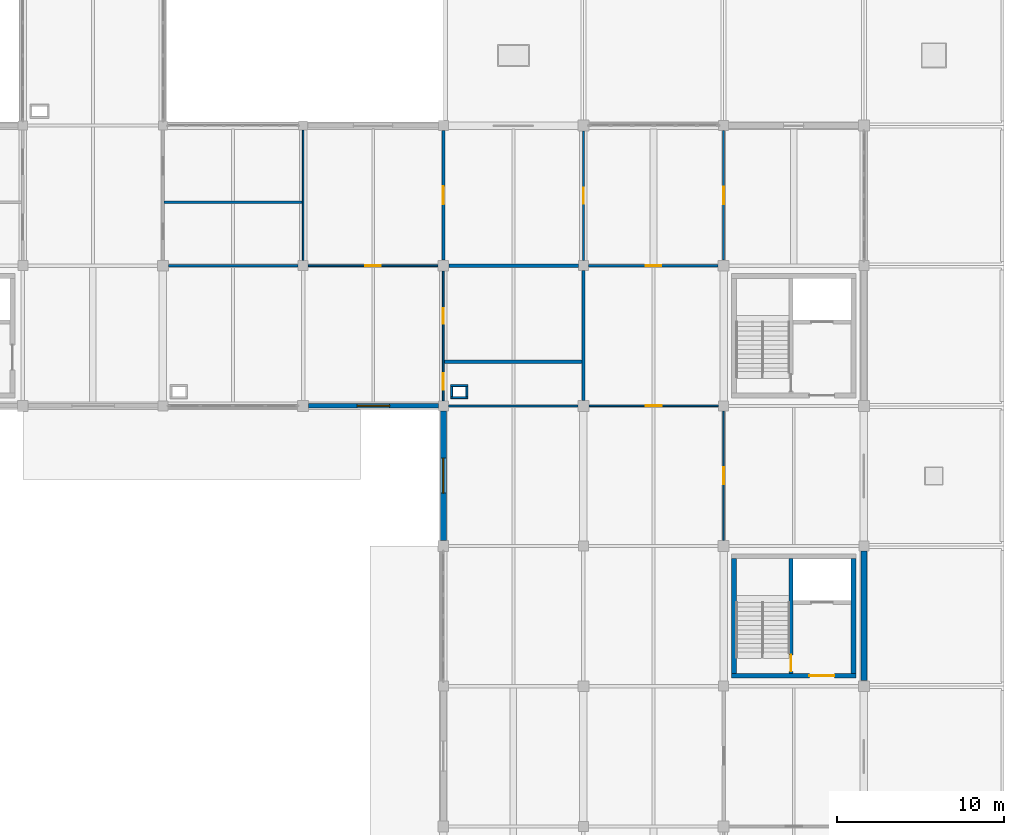
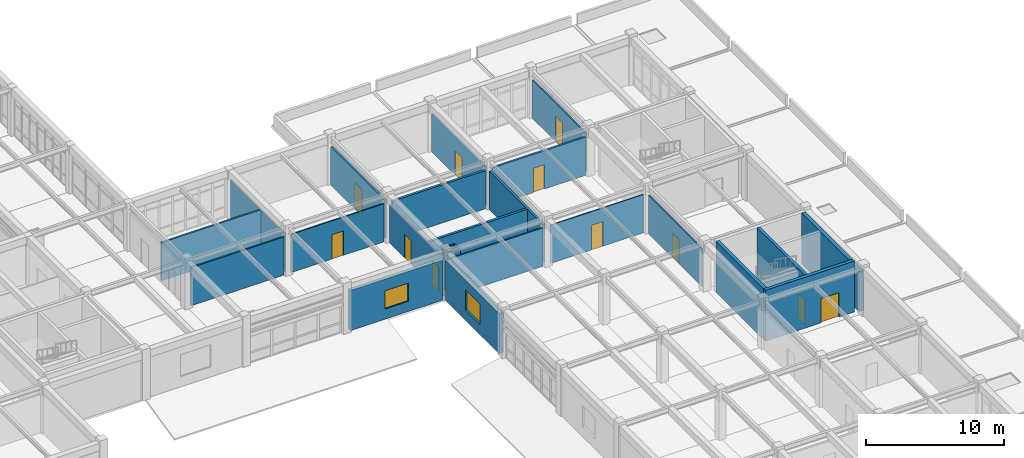
# One storey, part 71 of 78: 26 walls, 11 doors, 2 windows, 13 openings.
"""IFC4 building model written with IfcOpenShell, lengths in metres."""

from ifc_helpers import new_model, si_unit, direction, frame, frame_2d, origin, place, context, subcontext, project, spatial, rectangle, extrude, material, layer, layer_set, type_object, element, fill, save


model = new_model("IFC4")

# Units and contexts
model_context = context("Model", 3, precision=1e-05, world=origin(), true_north=direction((0.0, 1.0)))
body_context = subcontext(model_context, "Body", "Model", "MODEL_VIEW")
ifc_project = project(units=[si_unit("LENGTHUNIT", "METRE"), si_unit("AREAUNIT", "SQUARE_METRE"), si_unit("VOLUMEUNIT", "CUBIC_METRE"), si_unit("PLANEANGLEUNIT", "RADIAN"), si_unit("MASSUNIT", "GRAM", prefix="KILO")], contexts=[model_context])

# Site, building, storey
site_placement = place(None, origin())
site = spatial("IfcSite", under=ifc_project, at=site_placement, CompositionType="ELEMENT")
building_placement = place(site_placement, origin())
building = spatial("IfcBuilding", under=site, at=building_placement, Name="Porcellanite Civic Hall", CompositionType="ELEMENT")
storey_placement = place(building_placement, frame((0.0, 0.0, 10.260009765625)))
storey = spatial("IfcBuildingStorey", under=building, at=storey_placement, Name="L02", CompositionType="ELEMENT", Elevation=10.260009765625)

# Wall, opening, door
ifc_material_1 = material(Name="Concrete N40 (40 MPa)", Category="concrete")
ifc_layer_1 = layer(ifc_material_1, 0.239990234375)
ifc_layer_set_1 = layer_set([ifc_layer_1], Name="Concrete N40 (40 MPa)")
wall_type_1 = type_object("IfcWallType", Name="CW-SH240", PredefinedType="SHEAR", material=ifc_layer_set_1)
wall_1_placement = place(storey_placement, frame((163.639892578125, 34.360107421875, 0.0), z_axis=(0.0, 0.0, 1.0), x_axis=(0.0, 1.0, 0.0)))
wall_1 = element("IfcWall", 1, at=wall_1_placement, inside=storey, type_object=wall_type_1, Name="Core divider C7 L02", PredefinedType="SHEAR", context=body_context, shape_type="SweptSolid", body=[
    extrude(rectangle(XDim=6.8798828125, YDim=0.239990234375, at=frame_2d((3.43994140625, 0.0))), origin(), (0.0, 0.0, 1.0), 4.5),
])
opening_1_placement = place(wall_1_placement, frame((0.1201171875, 0.0, 0.0)))
opening_1 = element("IfcOpeningElement", 2, at=opening_1_placement, cuts=wall_1, Name="Opening FD-C7-L02-ST", PredefinedType="OPENING", context=body_context, shape_type="SweptSolid", body=[
    extrude(rectangle(XDim=1.0, YDim=2.14990234375, at=frame_2d((0.5, 1.074951171875))), frame((0.0, 0.1201171875, 0.0), z_axis=(0.0, -1.0, 0.0), x_axis=(1.0, 0.0, 0.0)), (0.0, 0.0, 1.0), 0.239990234375),
])
ifc_material_2 = material(Name="Fire-rated solid-core hardwood timber", Category="wood")
door_type_1 = type_object("IfcDoorType", Name="DR-FD100", OperationType="NOTDEFINED", PredefinedType="DOOR", material=ifc_material_2)
door_1_placement = place(opening_1_placement, origin())
door_1 = element("IfcDoor", 3, at=door_1_placement, inside=storey, type_object=door_type_1, Name="Fire stair door FD-C7-L02-ST", OperationType="SINGLE_SWING_RIGHT", OverallHeight=2.14990234375, OverallWidth=1.0, PredefinedType="DOOR", context=body_context, shape_type="SweptSolid", body=[
    extrude(rectangle(XDim=1.0, YDim=2.14990234375, at=frame_2d((0.5, 1.074951171875))), frame((0.0, 0.02490234375, 0.0), z_axis=(0.0, -1.0, 0.0), x_axis=(1.0, 0.0, 0.0)), (0.0, 0.0, 1.0), 0.050048828125),
])
fill(opening_1, door_1)

ifc_material_3 = material(Name="Concrete N40 (40 MPa)", Category="concrete")
ifc_layer_2 = layer(ifc_material_3, 0.280029296875)
ifc_layer_set_2 = layer_set([ifc_layer_2], Name="Concrete N40 (40 MPa)")
wall_type_2 = type_object("IfcWallType", Name="CW-SH280", PredefinedType="SHEAR", material=ifc_layer_set_2)
wall_2_placement = place(storey_placement, frame((167.52001953125, 34.219970703125, 0.0), z_axis=(0.0, 0.0, 1.0), x_axis=(-1.0, 0.0, 0.0)))
wall_2 = element("IfcWall", 4, at=wall_2_placement, inside=storey, type_object=wall_type_2, Name="Core wall C7 L02 S", PredefinedType="SHEAR", context=body_context, shape_type="SweptSolid", body=[
    extrude(rectangle(XDim=7.43994140625, YDim=0.280029296875, at=frame_2d((3.719970703125, 0.0))), origin(), (0.0, 0.0, 1.0), 4.5),
])
opening_2_placement = place(wall_2_placement, frame((1.280029296875, 0.0, 0.0)))
opening_2 = element("IfcOpeningElement", 5, at=opening_2_placement, cuts=wall_2, Name="Opening FD-C7-L02-LB", PredefinedType="OPENING", context=body_context, shape_type="SweptSolid", body=[
    extrude(rectangle(XDim=1.5, YDim=2.14990234375, at=frame_2d((0.75, 1.074951171875))), frame((0.0, 0.14013671875, 0.0), z_axis=(0.0, -1.0, 0.0), x_axis=(1.0, 0.0, 0.0)), (0.0, 0.0, 1.0), 0.280029296875),
])
ifc_material_4 = material(Name="Fire-rated steel and Georgian wired glass", Category="steel")
door_type_2 = type_object("IfcDoorType", Name="DR-FD150", OperationType="DOUBLE_DOOR_SINGLE_SWING", PredefinedType="DOOR", material=ifc_material_4)
door_2_placement = place(opening_2_placement, origin())
door_2 = element("IfcDoor", 6, at=door_2_placement, inside=storey, type_object=door_type_2, Name="Fire lobby double door FD-C7-L02-LB", OperationType="DOUBLE_DOOR_SINGLE_SWING", OverallHeight=2.14990234375, OverallWidth=1.5, PredefinedType="DOOR", context=body_context, shape_type="SweptSolid", body=[
    extrude(rectangle(XDim=1.5, YDim=2.14990234375, at=frame_2d((0.75, 1.074951171875))), frame((0.0, 0.02490234375, 0.0), z_axis=(0.0, -1.0, 0.0), x_axis=(1.0, 0.0, 0.0)), (0.0, 0.0, 1.0), 0.050048828125),
])
fill(opening_2, door_2)

# Walls
for number, where, z_axis, x_axis, name in (
    (7, (160.219970703125, 34.360107421875, 0.0), (0.0, 0.0, 1.0), (0.0, 1.0, 0.0), "Core wall C7 L02 W"),
    (8, (167.3798828125, 41.239990234375, 0.0), (0.0, 0.0, 1.0), (0.0, -1.0, 0.0), "Core wall C7 L02 E"),
):
    element("IfcWall", number, at=place(storey_placement, frame(where, z_axis=z_axis, x_axis=x_axis)), inside=storey, type_object=wall_type_2, Name=name, PredefinedType="SHEAR", context=body_context, shape_type="SweptSolid", body=[
        extrude(rectangle(XDim=6.8798828125, YDim=0.280029296875, at=frame_2d((3.43994140625, 0.0))), origin(), (0.0, 0.0, 1.0), 4.5),
    ])

# Wall, opening, window
ifc_material_5 = material(Name="Precast concrete N40 (40 MPa)", Category="concrete")
ifc_layer_3 = layer(ifc_material_5, 0.280029296875)
ifc_layer_set_3 = layer_set([ifc_layer_3], Name="Precast concrete N40 (40 MPa)")
wall_type_3 = type_object("IfcWallType", Name="EW-CLO280", PredefinedType="SOLIDWALL", material=ifc_layer_set_3)
wall_3_placement = place(storey_placement, frame((142.4990234375, 50.39990234375, 0.0), z_axis=(0.0, 0.0, 1.0), x_axis=(-1.0, 0.0, 0.0)))
wall_3 = element("IfcWall", 9, at=wall_3_placement, inside=storey, type_object=wall_type_3, Name="Exterior wall L02 S 17-7", PredefinedType="SOLIDWALL", context=body_context, shape_type="SweptSolid", body=[
    extrude(rectangle(XDim=7.77294921875, YDim=0.280029296875, at=frame_2d((3.886474609375, 0.0))), origin(), (0.0, 0.0, 1.0), 3.5400390625),
])
opening_3_placement = place(wall_3_placement, frame((2.910888671875, 0.0, 0.89990234375)))
opening_3 = element("IfcOpeningElement", 10, at=opening_3_placement, cuts=wall_3, Name="Opening W35", PredefinedType="OPENING", context=body_context, shape_type="SweptSolid", body=[
    extrude(rectangle(XDim=1.949951171875, YDim=1.60009765625, at=frame_2d((0.97509765625, 0.800048828125))), frame((0.0, 0.14013671875, 0.0), z_axis=(0.0, -1.0, 0.0), x_axis=(1.0, 0.0, 0.0)), (0.0, 0.0, 1.0), 0.280029296875),
])
ifc_material_6 = material(Name="Cyclone laminated low-E glazing in anodised aluminium frame", Category="aluminium")
window_type_1 = type_object("IfcWindowType", Name="WN-35", PartitioningType="DOUBLE_PANEL_VERTICAL", PredefinedType="WINDOW", material=ifc_material_6)
window_1_placement = place(opening_3_placement, origin())
window_1 = element("IfcWindow", 11, at=window_1_placement, inside=storey, type_object=window_type_1, Name="Window W35 L02 S 17-7", OverallHeight=1.60009765625, OverallWidth=1.949951171875, PartitioningType="SINGLE_PANEL", PredefinedType="WINDOW", context=body_context, shape_type="SweptSolid", body=[
    extrude(rectangle(XDim=1.949951171875, YDim=1.60009765625, at=frame_2d((0.97509765625, 0.800048828125))), frame((0.0, 0.030029296875, 0.0), z_axis=(0.0, -1.0, 0.0), x_axis=(1.0, 0.0, 0.0)), (0.0, 0.0, 1.0), 0.06005859375),
])
fill(opening_3, window_1)

ifc_material_7 = material(Name="Precast concrete N40 (40 MPa)", Category="concrete")
ifc_layer_4 = layer(ifc_material_7, 0.360107421875)
ifc_layer_set_4 = layer_set([ifc_layer_4], Name="Precast concrete N40 (40 MPa)")
wall_type_4 = type_object("IfcWallType", Name="EW-LIB360", PredefinedType="SOLIDWALL", material=ifc_layer_set_4)
wall_4_placement = place(storey_placement, frame((142.800048828125, 42.325927734375, 0.0), z_axis=(0.0, 0.0, 1.0), x_axis=(0.0, 1.0, 0.0)))
wall_4 = element("IfcWall", 12, at=wall_4_placement, inside=storey, type_object=wall_type_4, Name="Exterior wall L02 W 18-6", PredefinedType="SOLIDWALL", context=body_context, shape_type="SweptSolid", body=[
    extrude(rectangle(XDim=7.773193359375, YDim=0.360107421875, at=frame_2d((3.88671875, 0.0))), origin(), (0.0, 0.0, 1.0), 3.5400390625),
])
opening_4_placement = place(wall_4_placement, frame((2.8369140625, 0.0, 0.89990234375)))
opening_4 = element("IfcOpeningElement", 13, at=opening_4_placement, cuts=wall_4, Name="Opening W02", PredefinedType="OPENING", context=body_context, shape_type="SweptSolid", body=[
    extrude(rectangle(XDim=2.10009765625, YDim=1.800048828125, at=frame_2d((1.050048828125, 0.89990234375))), frame((0.0, 0.18017578125, 0.0), z_axis=(0.0, -1.0, 0.0), x_axis=(1.0, 0.0, 0.0)), (0.0, 0.0, 1.0), 0.360107421875),
])
ifc_material_8 = material(Name="Cyclone laminated low-E glazing in anodised aluminium frame", Category="aluminium")
window_type_2 = type_object("IfcWindowType", Name="WN-02", PartitioningType="DOUBLE_PANEL_VERTICAL", PredefinedType="WINDOW", material=ifc_material_8)
window_2_placement = place(opening_4_placement, origin())
window_2 = element("IfcWindow", 14, at=window_2_placement, inside=storey, type_object=window_type_2, Name="Window W02 L02 W 18-6", OverallHeight=1.800048828125, OverallWidth=2.10009765625, PartitioningType="SINGLE_PANEL", PredefinedType="WINDOW", context=body_context, shape_type="SweptSolid", body=[
    extrude(rectangle(XDim=2.10009765625, YDim=1.800048828125, at=frame_2d((1.050048828125, 0.89990234375))), frame((0.0, 0.030029296875, 0.0), z_axis=(0.0, -1.0, 0.0), x_axis=(1.0, 0.0, 0.0)), (0.0, 0.0, 1.0), 0.06005859375),
])
fill(opening_4, window_2)

# Walls
wall_5_placement = place(storey_placement, frame((168.0, 41.698974609375, 0.0), z_axis=(0.0, 0.0, 1.0), x_axis=(0.0, -1.0, 0.0)))
element("IfcWall", 15, at=wall_5_placement, inside=storey, type_object=wall_type_4, Name="Exterior wall L02 E 20-5", PredefinedType="SOLIDWALL", context=body_context, shape_type="SweptSolid", body=[
    extrude(rectangle(XDim=7.77294921875, YDim=0.360107421875, at=frame_2d((3.886474609375, 0.0))), origin(), (0.0, 0.0, 1.0), 3.5400390625),
])
ifc_material_9 = material(Name="Fire-rated shaftwall plasterboard on steel studs", Category="steel")
ifc_layer_5 = layer(ifc_material_9, 0.117919921875)
ifc_layer_set_5 = layer_set([ifc_layer_5], Name="Fire-rated shaftwall plasterboard on steel studs")
wall_type_5 = type_object("IfcWallType", Name="IW-FR118", PredefinedType="PARTITIONING", material=ifc_layer_set_5)
for number, where, z_axis, x_axis, name in (
    (16, (143.23193359375, 50.89111328125, 0.0), (0.0, 0.0, 1.0), (1.0, 0.0, 0.0), "Fire riser shaftwall S L02 17-6"),
    (17, (143.23193359375, 51.60888671875, 0.0), (0.0, 0.0, 1.0), (1.0, 0.0, 0.0), "Fire riser shaftwall N L02 17-6"),
):
    element("IfcWall", number, at=place(storey_placement, frame(where, z_axis=z_axis, x_axis=x_axis)), inside=storey, type_object=wall_type_5, Name=name, PredefinedType="PARTITIONING", context=body_context, shape_type="SweptSolid", body=[
        extrude(rectangle(XDim=1.0361328125, YDim=0.117919921875, at=frame_2d((0.51806640625, 0.0))), origin(), (0.0, 0.0, 1.0), 3.530029296875),
    ])
for number, where, z_axis, x_axis, name in (
    (18, (143.291015625, 50.949951171875, 0.0), (0.0, 0.0, 1.0), (0.0, 1.0, 0.0), "Fire riser shaftwall W L02 17-6"),
    (19, (144.208984375, 50.949951171875, 0.0), (0.0, 0.0, 1.0), (0.0, 1.0, 0.0), "Fire riser shaftwall E L02 17-6"),
):
    element("IfcWall", number, at=place(storey_placement, frame(where, z_axis=z_axis, x_axis=x_axis)), inside=storey, type_object=wall_type_5, Name=name, PredefinedType="PARTITIONING", context=body_context, shape_type="SweptSolid", body=[
        extrude(rectangle(XDim=0.60009765625, YDim=0.117919921875, at=frame_2d((0.300048828125, 0.0))), origin(), (0.0, 0.0, 1.0), 3.530029296875),
    ])
ifc_material_10 = material(Name="Insulated acoustic plasterboard on light-gauge steel studs", Category="steel")
ifc_layer_6 = layer(ifc_material_10, 0.087890625)
ifc_layer_set_6 = layer_set([ifc_layer_6], Name="Insulated acoustic plasterboard on light-gauge steel studs")
wall_type_6 = type_object("IfcWallType", Name="IW-PT088", PredefinedType="PARTITIONING", material=ifc_layer_set_6)
wall_6_placement = place(storey_placement, frame((134.39990234375, 59.10205078125, 0.0), z_axis=(0.0, 0.0, 1.0), x_axis=(0.0, 1.0, 0.0)))
element("IfcWall", 20, at=wall_6_placement, inside=storey, type_object=wall_type_6, Name="Partition L02 V 16-8", PredefinedType="PARTITIONING", context=body_context, shape_type="SweptSolid", body=[
    extrude(rectangle(XDim=7.821044921875, YDim=0.087890625, at=frame_2d((3.91064453125, 0.0))), origin(), (0.0, 0.0, 1.0), 3.369873046875),
])

# Wall, opening, door
ifc_material_11 = material(Name="Insulated acoustic plasterboard on light-gauge steel studs", Category="steel")
ifc_layer_7 = layer(ifc_material_11, 0.094970703125)
ifc_layer_set_7 = layer_set([ifc_layer_7], Name="Insulated acoustic plasterboard on light-gauge steel studs")
wall_type_7 = type_object("IfcWallType", Name="IW-PT095", PredefinedType="PARTITIONING", material=ifc_layer_set_7)
wall_7_placement = place(storey_placement, frame((151.527099609375, 50.39990234375, 0.0), z_axis=(0.0, 0.0, 1.0), x_axis=(1.0, 0.0, 0.0)))
wall_7 = element("IfcWall", 21, at=wall_7_placement, inside=storey, type_object=wall_type_7, Name="Partition L02 H 19-6", PredefinedType="PARTITIONING", context=body_context, shape_type="SweptSolid", body=[
    extrude(rectangle(XDim=7.77099609375, YDim=0.094970703125, at=frame_2d((3.885498046875, 0.0))), origin(), (0.0, 0.0, 1.0), 3.369873046875),
])
opening_5_placement = place(wall_7_placement, frame((3.405029296875, 0.0, 0.0)))
opening_5 = element("IfcOpeningElement", 22, at=opening_5_placement, cuts=wall_7, Name="Opening D-L02-370", PredefinedType="OPENING", context=body_context, shape_type="SweptSolid", body=[
    extrude(rectangle(XDim=0.9599609375, YDim=2.179931640625, at=frame_2d((0.47998046875, 1.08984375))), frame((0.0, 0.04736328125, 0.0), z_axis=(0.0, -1.0, 0.0), x_axis=(1.0, 0.0, 0.0)), (0.0, 0.0, 1.0), 0.094970703125),
])
ifc_material_12 = material(Name="Solid-core spotted-gum timber", Category="wood")
door_type_3 = type_object("IfcDoorType", Name="DR-RM096", OperationType="NOTDEFINED", PredefinedType="DOOR", material=ifc_material_12)
door_3_placement = place(opening_5_placement, origin())
door_3 = element("IfcDoor", 23, at=door_3_placement, inside=storey, type_object=door_type_3, Name="Interior door D-L02-370", OperationType="SINGLE_SWING_RIGHT", OverallHeight=2.179931640625, OverallWidth=0.9599609375, PredefinedType="DOOR", context=body_context, shape_type="SweptSolid", body=[
    extrude(rectangle(XDim=0.9599609375, YDim=2.179931640625, at=frame_2d((0.47998046875, 1.08984375))), frame((0.0, 0.02490234375, 0.0), z_axis=(0.0, -1.0, 0.0), x_axis=(1.0, 0.0, 0.0)), (0.0, 0.0, 1.0), 0.050048828125),
])
fill(opening_5, door_3)

wall_8_placement = place(storey_placement, frame((159.60009765625, 42.326904296875, 0.0), z_axis=(0.0, 0.0, 1.0), x_axis=(0.0, 1.0, 0.0)))
wall_8 = element("IfcWall", 24, at=wall_8_placement, inside=storey, type_object=wall_type_7, Name="Partition L02 V 19-6", PredefinedType="PARTITIONING", context=body_context, shape_type="SweptSolid", body=[
    extrude(rectangle(XDim=7.77099609375, YDim=0.094970703125, at=frame_2d((3.885498046875, 0.0))), origin(), (0.0, 0.0, 1.0), 3.369873046875),
])
opening_6_placement = place(wall_8_placement, frame((3.381103515625, 0.0, 0.0)))
opening_6 = element("IfcOpeningElement", 25, at=opening_6_placement, cuts=wall_8, Name="Opening D-L02-361", PredefinedType="OPENING", context=body_context, shape_type="SweptSolid", body=[
    extrude(rectangle(XDim=1.010009765625, YDim=2.1201171875, at=frame_2d((0.5048828125, 1.06005859375))), frame((0.0, 0.04736328125, 0.0), z_axis=(0.0, -1.0, 0.0), x_axis=(1.0, 0.0, 0.0)), (0.0, 0.0, 1.0), 0.094970703125),
])
ifc_material_13 = material(Name="Solid-core spotted-gum timber", Category="wood")
door_type_4 = type_object("IfcDoorType", Name="DR-RM101", OperationType="NOTDEFINED", PredefinedType="DOOR", material=ifc_material_13)
door_4_placement = place(opening_6_placement, origin())
door_4 = element("IfcDoor", 26, at=door_4_placement, inside=storey, type_object=door_type_4, Name="Interior door D-L02-361", OperationType="SINGLE_SWING_LEFT", OverallHeight=2.1201171875, OverallWidth=1.010009765625, PredefinedType="DOOR", context=body_context, shape_type="SweptSolid", body=[
    extrude(rectangle(XDim=1.010009765625, YDim=2.1201171875, at=frame_2d((0.5048828125, 1.06005859375))), frame((0.0, 0.02490234375, 0.0), z_axis=(0.0, -1.0, 0.0), x_axis=(1.0, 0.0, 0.0)), (0.0, 0.0, 1.0), 0.050048828125),
])
fill(opening_6, door_4)

ifc_material_14 = material(Name="Insulated acoustic plasterboard on light-gauge steel studs", Category="steel")
ifc_layer_8 = layer(ifc_material_14, 0.10498046875)
ifc_layer_set_8 = layer_set([ifc_layer_8], Name="Insulated acoustic plasterboard on light-gauge steel studs")
wall_type_8 = type_object("IfcWallType", Name="IW-PT105", PredefinedType="PARTITIONING", material=ifc_layer_set_8)
wall_9_placement = place(storey_placement, frame((134.701904296875, 58.800048828125, 0.0), z_axis=(0.0, 0.0, 1.0), x_axis=(1.0, 0.0, 0.0)))
wall_9 = element("IfcWall", 27, at=wall_9_placement, inside=storey, type_object=wall_type_8, Name="Partition L02 H 17-7", PredefinedType="PARTITIONING", context=body_context, shape_type="SweptSolid", body=[
    extrude(rectangle(XDim=7.77099609375, YDim=0.10498046875, at=frame_2d((3.885498046875, 0.0))), origin(), (0.0, 0.0, 1.0), 3.369873046875),
])
opening_7_placement = place(wall_9_placement, frame((3.4150390625, 0.0, 0.0)))
opening_7 = element("IfcOpeningElement", 28, at=opening_7_placement, cuts=wall_9, Name="Opening D-L02-345", PredefinedType="OPENING", context=body_context, shape_type="SweptSolid", body=[
    extrude(rectangle(XDim=0.93994140625, YDim=2.14990234375, at=frame_2d((0.469970703125, 1.074951171875))), frame((0.0, 0.052490234375, 0.0), z_axis=(0.0, -1.0, 0.0), x_axis=(1.0, 0.0, 0.0)), (0.0, 0.0, 1.0), 0.10498046875),
])
ifc_material_15 = material(Name="Solid-core spotted-gum timber", Category="wood")
door_type_5 = type_object("IfcDoorType", Name="DR-RM094", OperationType="NOTDEFINED", PredefinedType="DOOR", material=ifc_material_15)
door_5_placement = place(opening_7_placement, origin())
door_5 = element("IfcDoor", 29, at=door_5_placement, inside=storey, type_object=door_type_5, Name="Interior door D-L02-345", OperationType="SINGLE_SWING_LEFT", OverallHeight=2.14990234375, OverallWidth=0.93994140625, PredefinedType="DOOR", context=body_context, shape_type="SweptSolid", body=[
    extrude(rectangle(XDim=0.93994140625, YDim=2.14990234375, at=frame_2d((0.469970703125, 1.074951171875))), frame((0.0, 0.02490234375, 0.0), z_axis=(0.0, -1.0, 0.0), x_axis=(1.0, 0.0, 0.0)), (0.0, 0.0, 1.0), 0.050048828125),
])
fill(opening_7, door_5)

# Wall, openings, doors
wall_10_placement = place(storey_placement, frame((142.800048828125, 50.701904296875, 0.0), z_axis=(0.0, 0.0, 1.0), x_axis=(0.0, 1.0, 0.0)))
wall_10 = element("IfcWall", 30, at=wall_10_placement, inside=storey, type_object=wall_type_8, Name="Partition L02 V 17-7", PredefinedType="PARTITIONING", context=body_context, shape_type="SweptSolid", body=[
    extrude(rectangle(XDim=7.77099609375, YDim=0.10498046875, at=frame_2d((3.885498046875, 0.0))), origin(), (0.0, 0.0, 1.0), 3.369873046875),
])
opening_8_placement = place(wall_10_placement, frame((0.673095703125, 0.0, 0.0)))
opening_8 = element("IfcOpeningElement", 31, at=opening_8_placement, cuts=wall_10, Name="Opening D-L02-322", PredefinedType="OPENING", context=body_context, shape_type="SweptSolid", body=[
    extrude(rectangle(XDim=0.97998046875, YDim=2.080078125, at=frame_2d((0.489990234375, 1.0400390625))), frame((0.0, 0.052490234375, 0.0), z_axis=(0.0, -1.0, 0.0), x_axis=(1.0, 0.0, 0.0)), (0.0, 0.0, 1.0), 0.10498046875),
])
opening_9_placement = place(wall_10_placement, frame((4.613037109375, 0.0, 0.0)))
opening_9 = element("IfcOpeningElement", 32, at=opening_9_placement, cuts=wall_10, Name="Opening D-L02-323", PredefinedType="OPENING", context=body_context, shape_type="SweptSolid", body=[
    extrude(rectangle(XDim=0.93994140625, YDim=2.080078125, at=frame_2d((0.469970703125, 1.0400390625))), frame((0.0, 0.052490234375, 0.0), z_axis=(0.0, -1.0, 0.0), x_axis=(1.0, 0.0, 0.0)), (0.0, 0.0, 1.0), 0.10498046875),
])
ifc_material_16 = material(Name="Moisture-resistant laminate solid-core timber", Category="wood")
door_type_6 = type_object("IfcDoorType", Name="DR-WC094", OperationType="NOTDEFINED", PredefinedType="DOOR", material=ifc_material_16)
door_6_placement = place(opening_9_placement, origin())
door_6 = element("IfcDoor", 33, at=door_6_placement, inside=storey, type_object=door_type_6, Name="Interior door D-L02-323", OperationType="SINGLE_SWING_LEFT", OverallHeight=2.080078125, OverallWidth=0.93994140625, PredefinedType="DOOR", context=body_context, shape_type="SweptSolid", body=[
    extrude(rectangle(XDim=0.93994140625, YDim=2.080078125, at=frame_2d((0.469970703125, 1.0400390625))), frame((0.0, 0.02490234375, 0.0), z_axis=(0.0, -1.0, 0.0), x_axis=(1.0, 0.0, 0.0)), (0.0, 0.0, 1.0), 0.050048828125),
])
fill(opening_9, door_6)
ifc_material_17 = material(Name="Moisture-resistant laminate solid-core timber", Category="wood")
door_type_7 = type_object("IfcDoorType", Name="DR-WC098", OperationType="NOTDEFINED", PredefinedType="DOOR", material=ifc_material_17)
door_7_placement = place(opening_8_placement, origin())
door_7 = element("IfcDoor", 34, at=door_7_placement, inside=storey, type_object=door_type_7, Name="Interior door D-L02-322", OperationType="SINGLE_SWING_RIGHT", OverallHeight=2.080078125, OverallWidth=0.97998046875, PredefinedType="DOOR", context=body_context, shape_type="SweptSolid", body=[
    extrude(rectangle(XDim=0.97998046875, YDim=2.080078125, at=frame_2d((0.489990234375, 1.0400390625))), frame((0.0, 0.02490234375, 0.0), z_axis=(0.0, -1.0, 0.0), x_axis=(1.0, 0.0, 0.0)), (0.0, 0.0, 1.0), 0.050048828125),
])
fill(opening_8, door_7)

# Wall, opening, door
ifc_material_18 = material(Name="Insulated acoustic plasterboard on light-gauge steel studs", Category="steel")
ifc_layer_9 = layer(ifc_material_18, 0.114990234375)
ifc_layer_set_9 = layer_set([ifc_layer_9], Name="Insulated acoustic plasterboard on light-gauge steel studs")
wall_type_9 = type_object("IfcWallType", Name="IW-PT115", PredefinedType="PARTITIONING", material=ifc_layer_set_9)
wall_11_placement = place(storey_placement, frame((159.60009765625, 59.126953125, 0.0), z_axis=(0.0, 0.0, 1.0), x_axis=(0.0, 1.0, 0.0)))
wall_11 = element("IfcWall", 35, at=wall_11_placement, inside=storey, type_object=wall_type_9, Name="Partition L02 V 19-8", PredefinedType="PARTITIONING", context=body_context, shape_type="SweptSolid", body=[
    extrude(rectangle(XDim=7.77099609375, YDim=0.114990234375, at=frame_2d((3.885498046875, 0.0))), origin(), (0.0, 0.0, 1.0), 3.369873046875),
])
opening_10_placement = place(wall_11_placement, frame((3.364990234375, 0.0, 0.0)))
opening_10 = element("IfcOpeningElement", 36, at=opening_10_placement, cuts=wall_11, Name="Opening D-L02-379", PredefinedType="OPENING", context=body_context, shape_type="SweptSolid", body=[
    extrude(rectangle(XDim=1.0400390625, YDim=2.199951171875, at=frame_2d((0.52001953125, 1.10009765625))), frame((0.0, 0.0576171875, 0.0), z_axis=(0.0, -1.0, 0.0), x_axis=(1.0, 0.0, 0.0)), (0.0, 0.0, 1.0), 0.114990234375),
])
ifc_material_19 = material(Name="Solid-core spotted-gum timber", Category="wood")
door_type_8 = type_object("IfcDoorType", Name="DR-RM104", OperationType="NOTDEFINED", PredefinedType="DOOR", material=ifc_material_19)
door_8_placement = place(opening_10_placement, origin())
door_8 = element("IfcDoor", 37, at=door_8_placement, inside=storey, type_object=door_type_8, Name="Interior door D-L02-379", OperationType="SINGLE_SWING_LEFT", OverallHeight=2.199951171875, OverallWidth=1.0400390625, PredefinedType="DOOR", context=body_context, shape_type="SweptSolid", body=[
    extrude(rectangle(XDim=1.0400390625, YDim=2.199951171875, at=frame_2d((0.52001953125, 1.10009765625))), frame((0.0, 0.02490234375, 0.0), z_axis=(0.0, -1.0, 0.0), x_axis=(1.0, 0.0, 0.0)), (0.0, 0.0, 1.0), 0.050048828125),
])
fill(opening_10, door_8)

# Walls
ifc_material_20 = material(Name="Insulated acoustic plasterboard on light-gauge steel studs", Category="steel")
ifc_layer_10 = layer(ifc_material_20, 0.125)
ifc_layer_set_10 = layer_set([ifc_layer_10], Name="Insulated acoustic plasterboard on light-gauge steel studs")
wall_type_10 = type_object("IfcWallType", Name="IW-PT125", PredefinedType="PARTITIONING", material=ifc_layer_set_10)
wall_12_placement = place(storey_placement, frame((143.10205078125, 50.39990234375, 0.0), z_axis=(0.0, 0.0, 1.0), x_axis=(1.0, 0.0, 0.0)))
element("IfcWall", 38, at=wall_12_placement, inside=storey, type_object=wall_type_10, Name="Partition L02 H 18-6", PredefinedType="PARTITIONING", context=body_context, shape_type="SweptSolid", body=[
    extrude(rectangle(XDim=7.77099609375, YDim=0.125, at=frame_2d((3.885498046875, 0.0))), origin(), (0.0, 0.0, 1.0), 3.369873046875),
])
ifc_material_21 = material(Name="Insulated acoustic plasterboard on light-gauge steel studs", Category="steel")
ifc_layer_11 = layer(ifc_material_21, 0.135009765625)
ifc_layer_set_11 = layer_set([ifc_layer_11], Name="Insulated acoustic plasterboard on light-gauge steel studs")
wall_type_11 = type_object("IfcWallType", Name="IW-PT135", PredefinedType="PARTITIONING", material=ifc_layer_set_11)
wall_13_placement = place(storey_placement, frame((126.326904296875, 58.800048828125, 0.0), z_axis=(0.0, 0.0, 1.0), x_axis=(1.0, 0.0, 0.0)))
element("IfcWall", 39, at=wall_13_placement, inside=storey, type_object=wall_type_11, Name="Partition L02 H 16-7", PredefinedType="PARTITIONING", context=body_context, shape_type="SweptSolid", body=[
    extrude(rectangle(XDim=7.77099609375, YDim=0.135009765625, at=frame_2d((3.885498046875, 0.0))), origin(), (0.0, 0.0, 1.0), 3.369873046875),
])

# Wall, opening, door
ifc_material_22 = material(Name="Insulated acoustic plasterboard on light-gauge steel studs", Category="steel")
ifc_layer_12 = layer(ifc_material_22, 0.14501953125)
ifc_layer_set_12 = layer_set([ifc_layer_12], Name="Insulated acoustic plasterboard on light-gauge steel studs")
wall_type_12 = type_object("IfcWallType", Name="IW-PT145", PredefinedType="PARTITIONING", material=ifc_layer_set_12)
wall_14_placement = place(storey_placement, frame((151.199951171875, 59.10205078125, 0.0), z_axis=(0.0, 0.0, 1.0), x_axis=(0.0, 1.0, 0.0)))
wall_14 = element("IfcWall", 40, at=wall_14_placement, inside=storey, type_object=wall_type_12, Name="Partition L02 V 18-8", PredefinedType="PARTITIONING", context=body_context, shape_type="SweptSolid", body=[
    extrude(rectangle(XDim=7.77099609375, YDim=0.14501953125, at=frame_2d((3.885498046875, 0.0))), origin(), (0.0, 0.0, 1.0), 3.369873046875),
])
opening_11_placement = place(wall_14_placement, frame((3.40087890625, 0.0, 0.0)))
opening_11 = element("IfcOpeningElement", 41, at=opening_11_placement, cuts=wall_14, Name="Opening D-L02-401", PredefinedType="OPENING", context=body_context, shape_type="SweptSolid", body=[
    extrude(rectangle(XDim=0.969970703125, YDim=2.1201171875, at=frame_2d((0.48486328125, 1.06005859375))), frame((0.0, 0.072509765625, 0.0), z_axis=(0.0, -1.0, 0.0), x_axis=(1.0, 0.0, 0.0)), (0.0, 0.0, 1.0), 0.14501953125),
])
ifc_material_23 = material(Name="Solid-core spotted-gum timber", Category="wood")
door_type_9 = type_object("IfcDoorType", Name="DR-RM097", OperationType="NOTDEFINED", PredefinedType="DOOR", material=ifc_material_23)
door_9_placement = place(opening_11_placement, origin())
door_9 = element("IfcDoor", 42, at=door_9_placement, inside=storey, type_object=door_type_9, Name="Interior door D-L02-401", OperationType="SINGLE_SWING_LEFT", OverallHeight=2.1201171875, OverallWidth=0.969970703125, PredefinedType="DOOR", context=body_context, shape_type="SweptSolid", body=[
    extrude(rectangle(XDim=0.969970703125, YDim=2.1201171875, at=frame_2d((0.48486328125, 1.06005859375))), frame((0.0, 0.02490234375, 0.0), z_axis=(0.0, -1.0, 0.0), x_axis=(1.0, 0.0, 0.0)), (0.0, 0.0, 1.0), 0.050048828125),
])
fill(opening_11, door_9)

# Wall
wall_15_placement = place(storey_placement, frame((126.0595703125, 62.60009765625, 0.0), z_axis=(0.0, 0.0, 1.0), x_axis=(1.0, 0.0, 0.0)))
element("IfcWall", 43, at=wall_15_placement, inside=storey, type_object=wall_type_12, Name="Partition L02 sub 16-8", PredefinedType="PARTITIONING", context=body_context, shape_type="SweptSolid", body=[
    extrude(rectangle(XDim=8.29443359375, YDim=0.14501953125, at=frame_2d((4.147216796875, 0.0))), origin(), (0.0, 0.0, 1.0), 3.369873046875),
])

# Wall, opening, door
ifc_material_24 = material(Name="Insulated acoustic plasterboard on light-gauge steel studs", Category="steel")
ifc_layer_13 = layer(ifc_material_24, 0.1650390625)
ifc_layer_set_13 = layer_set([ifc_layer_13], Name="Insulated acoustic plasterboard on light-gauge steel studs")
wall_type_13 = type_object("IfcWallType", Name="IW-PT165", PredefinedType="PARTITIONING", material=ifc_layer_set_13)
wall_16_placement = place(storey_placement, frame((151.501953125, 58.800048828125, 0.0), z_axis=(0.0, 0.0, 1.0), x_axis=(1.0, 0.0, 0.0)))
wall_16 = element("IfcWall", 44, at=wall_16_placement, inside=storey, type_object=wall_type_13, Name="Partition L02 H 19-7", PredefinedType="PARTITIONING", context=body_context, shape_type="SweptSolid", body=[
    extrude(rectangle(XDim=7.77099609375, YDim=0.1650390625, at=frame_2d((3.885498046875, 0.0))), origin(), (0.0, 0.0, 1.0), 3.369873046875),
])
opening_12_placement = place(wall_16_placement, frame((3.4150390625, 0.0, 0.0)))
opening_12 = element("IfcOpeningElement", 45, at=opening_12_placement, cuts=wall_16, Name="Opening D-L02-371", PredefinedType="OPENING", context=body_context, shape_type="SweptSolid", body=[
    extrude(rectangle(XDim=0.93994140625, YDim=2.14990234375, at=frame_2d((0.469970703125, 1.074951171875))), frame((0.0, 0.08251953125, 0.0), z_axis=(0.0, -1.0, 0.0), x_axis=(1.0, 0.0, 0.0)), (0.0, 0.0, 1.0), 0.1650390625),
])
door_10_placement = place(opening_12_placement, origin())
door_10 = element("IfcDoor", 46, at=door_10_placement, inside=storey, type_object=door_type_5, Name="Interior door D-L02-371", OperationType="SINGLE_SWING_LEFT", OverallHeight=2.14990234375, OverallWidth=0.93994140625, PredefinedType="DOOR", context=body_context, shape_type="SweptSolid", body=[
    extrude(rectangle(XDim=0.93994140625, YDim=2.14990234375, at=frame_2d((0.469970703125, 1.074951171875))), frame((0.0, 0.02490234375, 0.0), z_axis=(0.0, -1.0, 0.0), x_axis=(1.0, 0.0, 0.0)), (0.0, 0.0, 1.0), 0.050048828125),
])
fill(opening_12, door_10)

ifc_material_25 = material(Name="Insulated acoustic plasterboard on light-gauge steel studs", Category="steel")
ifc_layer_14 = layer(ifc_material_25, 0.175048828125)
ifc_layer_set_14 = layer_set([ifc_layer_14], Name="Insulated acoustic plasterboard on light-gauge steel studs")
wall_type_14 = type_object("IfcWallType", Name="IW-PT175", PredefinedType="PARTITIONING", material=ifc_layer_set_14)
wall_17_placement = place(storey_placement, frame((142.800048828125, 59.126953125, 0.0), z_axis=(0.0, 0.0, 1.0), x_axis=(0.0, 1.0, 0.0)))
wall_17 = element("IfcWall", 47, at=wall_17_placement, inside=storey, type_object=wall_type_14, Name="Partition L02 V 17-8", PredefinedType="PARTITIONING", context=body_context, shape_type="SweptSolid", body=[
    extrude(rectangle(XDim=7.77099609375, YDim=0.175048828125, at=frame_2d((3.885498046875, 0.0))), origin(), (0.0, 0.0, 1.0), 3.369873046875),
])
opening_13_placement = place(wall_17_placement, frame((3.344970703125, 0.0, 0.0)))
opening_13 = element("IfcOpeningElement", 48, at=opening_13_placement, cuts=wall_17, Name="Opening D-L02-377", PredefinedType="OPENING", context=body_context, shape_type="SweptSolid", body=[
    extrude(rectangle(XDim=1.080078125, YDim=2.25, at=frame_2d((0.5400390625, 1.125))), frame((0.0, 0.08740234375, 0.0), z_axis=(0.0, -1.0, 0.0), x_axis=(1.0, 0.0, 0.0)), (0.0, 0.0, 1.0), 0.175048828125),
])
ifc_material_26 = material(Name="Solid-core spotted-gum timber", Category="wood")
door_type_10 = type_object("IfcDoorType", Name="DR-RM108", OperationType="NOTDEFINED", PredefinedType="DOOR", material=ifc_material_26)
door_11_placement = place(opening_13_placement, origin())
door_11 = element("IfcDoor", 49, at=door_11_placement, inside=storey, type_object=door_type_10, Name="Interior door D-L02-377", OperationType="SINGLE_SWING_LEFT", OverallHeight=2.25, OverallWidth=1.080078125, PredefinedType="DOOR", context=body_context, shape_type="SweptSolid", body=[
    extrude(rectangle(XDim=1.080078125, YDim=2.25, at=frame_2d((0.5400390625, 1.125))), frame((0.0, 0.02490234375, 0.0), z_axis=(0.0, -1.0, 0.0), x_axis=(1.0, 0.0, 0.0)), (0.0, 0.0, 1.0), 0.050048828125),
])
fill(opening_13, door_11)

# Walls
ifc_material_27 = material(Name="Insulated acoustic plasterboard on light-gauge steel studs", Category="steel")
ifc_layer_15 = layer(ifc_material_27, 0.195068359375)
ifc_layer_set_15 = layer_set([ifc_layer_15], Name="Insulated acoustic plasterboard on light-gauge steel studs")
wall_type_15 = type_object("IfcWallType", Name="IW-PT195", PredefinedType="PARTITIONING", material=ifc_layer_set_15)
for number, where, z_axis, x_axis, name in (
    (50, (143.126953125, 58.800048828125, 0.0), (0.0, 0.0, 1.0), (1.0, 0.0, 0.0), "Partition L02 H 18-7"),
    (51, (151.199951171875, 50.72705078125, 0.0), (0.0, 0.0, 1.0), (0.0, 1.0, 0.0), "Partition L02 V 18-7"),
):
    element("IfcWall", number, at=place(storey_placement, frame(where, z_axis=z_axis, x_axis=x_axis)), inside=storey, type_object=wall_type_15, Name=name, PredefinedType="PARTITIONING", context=body_context, shape_type="SweptSolid", body=[
        extrude(rectangle(XDim=7.77099609375, YDim=0.195068359375, at=frame_2d((3.885498046875, 0.0))), origin(), (0.0, 0.0, 1.0), 3.369873046875),
    ])
wall_18_placement = place(storey_placement, frame((142.8544921875, 53.050048828125, 0.0), z_axis=(0.0, 0.0, 1.0), x_axis=(1.0, 0.0, 0.0)))
element("IfcWall", 52, at=wall_18_placement, inside=storey, type_object=wall_type_15, Name="Partition L02 sub 18-7", PredefinedType="PARTITIONING", context=body_context, shape_type="SweptSolid", body=[
    extrude(rectangle(XDim=8.24609375, YDim=0.195068359375, at=frame_2d((4.123046875, 0.0))), origin(), (0.0, 0.0, 1.0), 3.369873046875),
])

save(model, "model.ifc")
